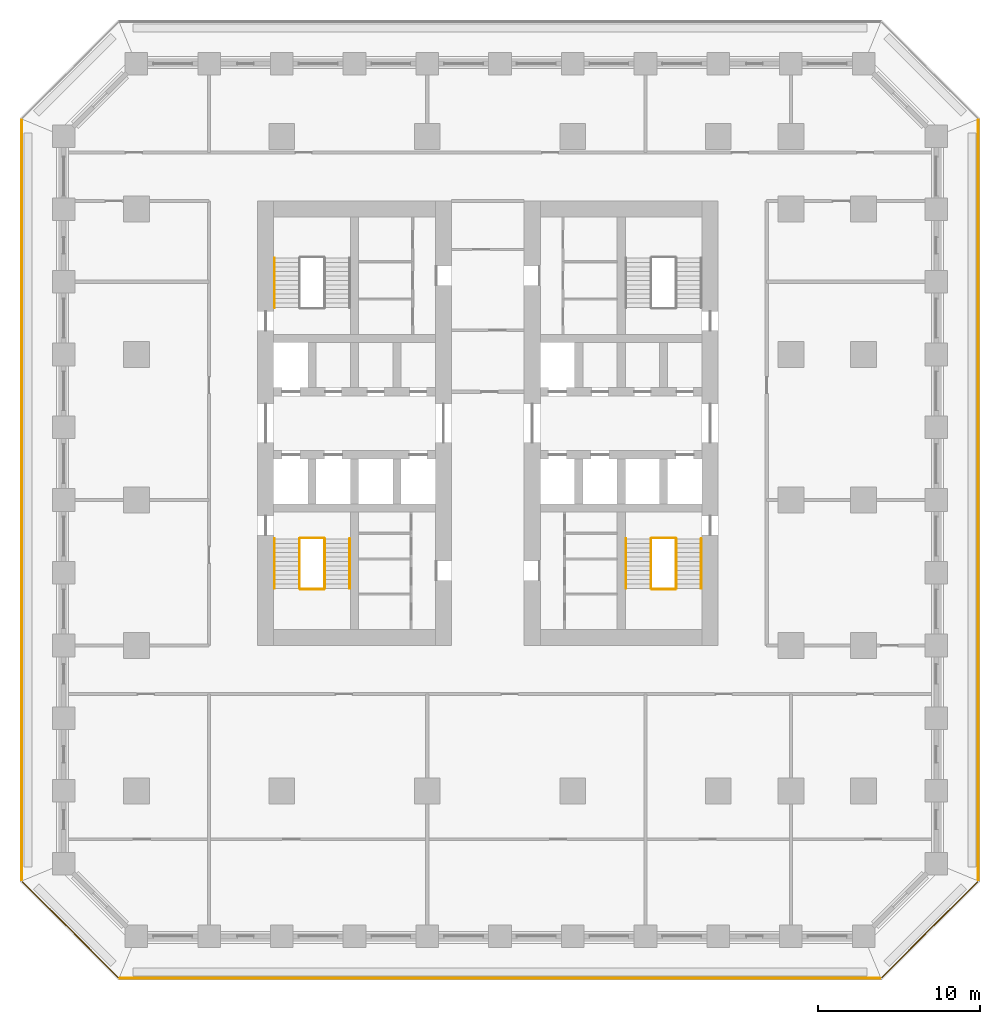
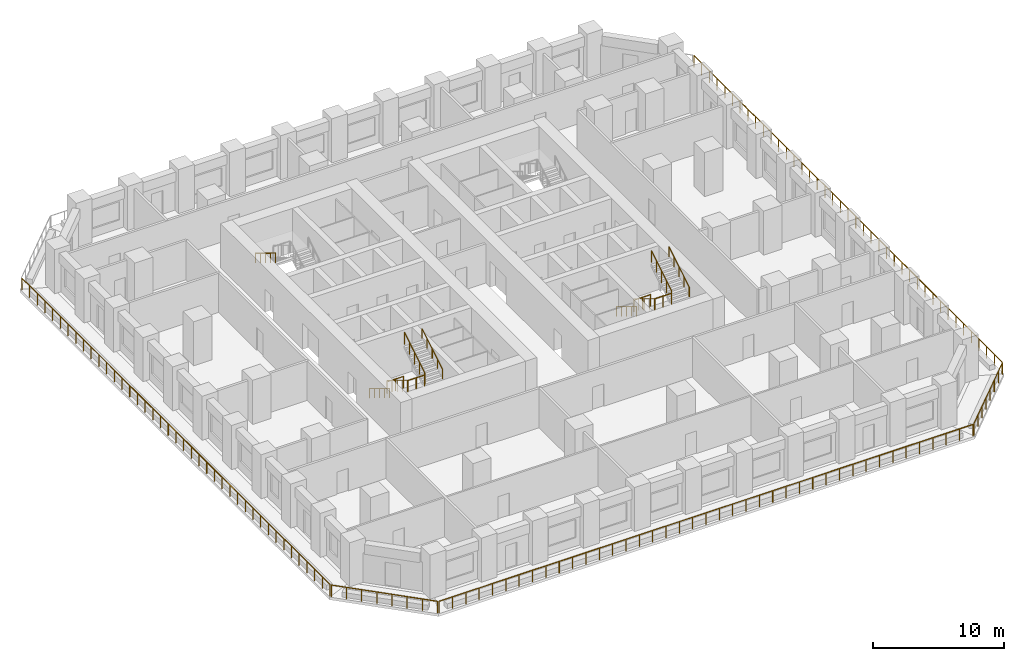
# One storey, part 9 of 11: 18 railings.
"""IFC4 building model written with IfcOpenShell, lengths in metres."""

from ifc_helpers import new_model, si_unit, direction, frame, origin, origin_2d, place, context, subcontext, project, spatial, circle, extrude, material, type_object, element, save


model = new_model("IFC4")

# Units and contexts
model_context = context("Model", 3, precision=1e-05, world=origin(), true_north=direction((0.0, 1.0)))
body_context = subcontext(model_context, "Body", "Model", "MODEL_VIEW")
ifc_project = project(units=[si_unit("LENGTHUNIT", "METRE"), si_unit("AREAUNIT", "SQUARE_METRE"), si_unit("VOLUMEUNIT", "CUBIC_METRE"), si_unit("PLANEANGLEUNIT", "RADIAN"), si_unit("MASSUNIT", "GRAM", prefix="KILO")], contexts=[model_context])

# Site, building, storey
site_placement = place(None, origin())
site = spatial("IfcSite", under=ifc_project, at=site_placement, CompositionType="ELEMENT")
building_placement = place(site_placement, origin())
building = spatial("IfcBuilding", under=site, at=building_placement, Name="Corbel Stack Research Tower", CompositionType="ELEMENT")
storey_placement = place(building_placement, frame((0.0, 0.0, 46.0)))
storey = spatial("IfcBuildingStorey", under=building, at=storey_placement, Name="L10", CompositionType="ELEMENT", Elevation=46.0)

# Railings
ifc_material_1 = material(Name="Steel S355", Category="steel")
railing_type_1 = type_object("IfcRailingType", Name="Stair guard 1100", PredefinedType="GUARDRAIL", material=ifc_material_1)
railing_1_placement = place(storey_placement, frame((-7.89990234375, -2.39990234375, 0.1708984375)))
element("IfcRailing", 1, at=railing_1_placement, inside=storey, type_object=railing_type_1, Name="L10 ST-W1 stair guard 1", PredefinedType="GUARDRAIL", context=body_context, shape_type="SweptSolid", body=[
    extrude(circle(Radius=0.02392578125, at=origin_2d()), frame((0.0, 0.0, 1.076171875), z_axis=(0.0, -0.853666305674, 0.52082035152), x_axis=(1.0, 0.0, 0.0)), (0.0, 0.0, 1.0), 3.608154296875),
    extrude(circle(Radius=0.02099609375, at=origin_2d()), origin(), (0.0, 0.0, 1.0), 1.052001953125),
    extrude(circle(Radius=0.02099609375, at=origin_2d()), frame((0.0, -0.77001953125, 0.4697265625)), (0.0, 0.0, 1.0), 1.052001953125),
    extrude(circle(Radius=0.02099609375, at=origin_2d()), frame((0.0, -1.5400390625, 0.939453125)), (0.0, 0.0, 1.0), 1.052001953125),
    extrude(circle(Radius=0.02099609375, at=origin_2d()), frame((0.0, -2.31005859375, 1.409423828125)), (0.0, 0.0, 1.0), 1.052001953125),
    extrude(circle(Radius=0.02099609375, at=origin_2d()), frame((0.0, -3.080078125, 1.879150390625)), (0.0, 0.0, 1.0), 1.052001953125),
])
railing_2_placement = place(storey_placement, frame((-7.85009765625, -5.530029296875, 2.050048828125)))
element("IfcRailing", 2, at=railing_2_placement, inside=storey, type_object=railing_type_1, Name="L10 ST-W1 stair guard 2", PredefinedType="GUARDRAIL", context=body_context, shape_type="SweptSolid", body=[
    extrude(circle(Radius=0.02392578125, at=origin_2d()), frame((0.0, 0.0, 1.076171875), z_axis=(1.0, 0.0, 0.0), x_axis=(0.0, 1.0, 0.0)), (0.0, 0.0, 1.0), 1.4501953125),
    extrude(circle(Radius=0.02099609375, at=origin_2d()), origin(), (0.0, 0.0, 1.0), 1.052001953125),
    extrude(circle(Radius=0.02099609375, at=origin_2d()), frame((0.72509765625, 0.0, 0.0)), (0.0, 0.0, 1.0), 1.052001953125),
    extrude(circle(Radius=0.02099609375, at=origin_2d()), frame((1.4501953125, 0.0, 0.0)), (0.0, 0.0, 1.0), 1.052001953125),
])
railing_3_placement = place(storey_placement, frame((-6.35009765625, -5.47998046875, 2.220947265625)))
element("IfcRailing", 3, at=railing_3_placement, inside=storey, type_object=railing_type_1, Name="L10 ST-W1 stair guard 3", PredefinedType="GUARDRAIL", context=body_context, shape_type="SweptSolid", body=[
    extrude(circle(Radius=0.02392578125, at=origin_2d()), frame((0.0, 0.0, 1.076171875), z_axis=(0.0, 0.853666305674, 0.52082035152), x_axis=(-1.0, 0.0, 0.0)), (0.0, 0.0, 1.0), 3.608154296875),
    extrude(circle(Radius=0.02099609375, at=origin_2d()), origin(), (0.0, 0.0, 1.0), 1.052001953125),
    extrude(circle(Radius=0.02099609375, at=origin_2d()), frame((0.0, 0.77001953125, 0.4697265625)), (0.0, 0.0, 1.0), 1.052001953125),
    extrude(circle(Radius=0.02099609375, at=origin_2d()), frame((0.0, 1.5400390625, 0.939453125)), (0.0, 0.0, 1.0), 1.052001953125),
    extrude(circle(Radius=0.02099609375, at=origin_2d()), frame((0.0, 2.31005859375, 1.409423828125)), (0.0, 0.0, 1.0), 1.052001953125),
    extrude(circle(Radius=0.02099609375, at=origin_2d()), frame((0.0, 3.080078125, 1.879150390625)), (0.0, 0.0, 1.0), 1.052001953125),
])
railing_4_placement = place(storey_placement, frame((-7.85009765625, -2.35009765625, 0.0)))
element("IfcRailing", 4, at=railing_4_placement, inside=storey, type_object=railing_type_1, Name="L10 ST-W1 stair guard 4", PredefinedType="GUARDRAIL", context=body_context, shape_type="SweptSolid", body=[
    extrude(circle(Radius=0.02392578125, at=origin_2d()), frame((0.0, 0.0, 1.076171875), z_axis=(1.0, 0.0, 0.0), x_axis=(0.0, 1.0, 0.0)), (0.0, 0.0, 1.0), 1.4501953125),
    extrude(circle(Radius=0.02099609375, at=origin_2d()), origin(), (0.0, 0.0, 1.0), 1.052001953125),
    extrude(circle(Radius=0.02099609375, at=origin_2d()), frame((0.72509765625, 0.0, 0.0)), (0.0, 0.0, 1.0), 1.052001953125),
    extrude(circle(Radius=0.02099609375, at=origin_2d()), frame((1.4501953125, 0.0, 0.0)), (0.0, 0.0, 1.0), 1.052001953125),
])
railing_5_placement = place(storey_placement, frame((13.85009765625, -2.39990234375, 0.1708984375)))
element("IfcRailing", 5, at=railing_5_placement, inside=storey, type_object=railing_type_1, Name="L10 ST-E1 stair guard 1", PredefinedType="GUARDRAIL", context=body_context, shape_type="SweptSolid", body=[
    extrude(circle(Radius=0.02392578125, at=origin_2d()), frame((0.0, 0.0, 1.076171875), z_axis=(0.0, -0.853666305674, 0.52082035152), x_axis=(1.0, 0.0, 0.0)), (0.0, 0.0, 1.0), 3.608154296875),
    extrude(circle(Radius=0.02099609375, at=origin_2d()), origin(), (0.0, 0.0, 1.0), 1.052001953125),
    extrude(circle(Radius=0.02099609375, at=origin_2d()), frame((0.0, -0.77001953125, 0.4697265625)), (0.0, 0.0, 1.0), 1.052001953125),
    extrude(circle(Radius=0.02099609375, at=origin_2d()), frame((0.0, -1.5400390625, 0.939453125)), (0.0, 0.0, 1.0), 1.052001953125),
    extrude(circle(Radius=0.02099609375, at=origin_2d()), frame((0.0, -2.31005859375, 1.409423828125)), (0.0, 0.0, 1.0), 1.052001953125),
    extrude(circle(Radius=0.02099609375, at=origin_2d()), frame((0.0, -3.080078125, 1.879150390625)), (0.0, 0.0, 1.0), 1.052001953125),
])
railing_6_placement = place(storey_placement, frame((13.89990234375, -5.530029296875, 2.050048828125)))
element("IfcRailing", 6, at=railing_6_placement, inside=storey, type_object=railing_type_1, Name="L10 ST-E1 stair guard 2", PredefinedType="GUARDRAIL", context=body_context, shape_type="SweptSolid", body=[
    extrude(circle(Radius=0.02392578125, at=origin_2d()), frame((0.0, 0.0, 1.076171875), z_axis=(1.0, 0.0, 0.0), x_axis=(0.0, 1.0, 0.0)), (0.0, 0.0, 1.0), 1.4501953125),
    extrude(circle(Radius=0.02099609375, at=origin_2d()), origin(), (0.0, 0.0, 1.0), 1.052001953125),
    extrude(circle(Radius=0.02099609375, at=origin_2d()), frame((0.72509765625, 0.0, 0.0)), (0.0, 0.0, 1.0), 1.052001953125),
    extrude(circle(Radius=0.02099609375, at=origin_2d()), frame((1.4501953125, 0.0, 0.0)), (0.0, 0.0, 1.0), 1.052001953125),
])
railing_7_placement = place(storey_placement, frame((15.39990234375, -5.47998046875, 2.220947265625)))
element("IfcRailing", 7, at=railing_7_placement, inside=storey, type_object=railing_type_1, Name="L10 ST-E1 stair guard 3", PredefinedType="GUARDRAIL", context=body_context, shape_type="SweptSolid", body=[
    extrude(circle(Radius=0.02392578125, at=origin_2d()), frame((0.0, 0.0, 1.076171875), z_axis=(0.0, 0.853666305674, 0.52082035152), x_axis=(-1.0, 0.0, 0.0)), (0.0, 0.0, 1.0), 3.608154296875),
    extrude(circle(Radius=0.02099609375, at=origin_2d()), origin(), (0.0, 0.0, 1.0), 1.052001953125),
    extrude(circle(Radius=0.02099609375, at=origin_2d()), frame((0.0, 0.77001953125, 0.4697265625)), (0.0, 0.0, 1.0), 1.052001953125),
    extrude(circle(Radius=0.02099609375, at=origin_2d()), frame((0.0, 1.5400390625, 0.939453125)), (0.0, 0.0, 1.0), 1.052001953125),
    extrude(circle(Radius=0.02099609375, at=origin_2d()), frame((0.0, 2.31005859375, 1.409423828125)), (0.0, 0.0, 1.0), 1.052001953125),
    extrude(circle(Radius=0.02099609375, at=origin_2d()), frame((0.0, 3.080078125, 1.879150390625)), (0.0, 0.0, 1.0), 1.052001953125),
])
railing_8_placement = place(storey_placement, frame((13.89990234375, -2.35009765625, 0.0)))
element("IfcRailing", 8, at=railing_8_placement, inside=storey, type_object=railing_type_1, Name="L10 ST-E1 stair guard 4", PredefinedType="GUARDRAIL", context=body_context, shape_type="SweptSolid", body=[
    extrude(circle(Radius=0.02392578125, at=origin_2d()), frame((0.0, 0.0, 1.076171875), z_axis=(1.0, 0.0, 0.0), x_axis=(0.0, 1.0, 0.0)), (0.0, 0.0, 1.0), 1.4501953125),
    extrude(circle(Radius=0.02099609375, at=origin_2d()), origin(), (0.0, 0.0, 1.0), 1.052001953125),
    extrude(circle(Radius=0.02099609375, at=origin_2d()), frame((0.72509765625, 0.0, 0.0)), (0.0, 0.0, 1.0), 1.052001953125),
    extrude(circle(Radius=0.02099609375, at=origin_2d()), frame((1.4501953125, 0.0, 0.0)), (0.0, 0.0, 1.0), 1.052001953125),
])
ifc_material_2 = material(Name="Steel S355", Category="steel")
railing_type_2 = type_object("IfcRailingType", Name="Stair handrail 900", PredefinedType="HANDRAIL", material=ifc_material_2)
railing_9_placement = place(storey_placement, frame((-9.449951171875, -2.39990234375, 0.1708984375)))
element("IfcRailing", 9, at=railing_9_placement, inside=storey, type_object=railing_type_2, Name="L10 ST-W1 stair handrail 1", PredefinedType="HANDRAIL", context=body_context, shape_type="SweptSolid", body=[
    extrude(circle(Radius=0.02392578125, at=origin_2d()), frame((0.0, 0.0, 0.8759765625), z_axis=(0.0, -0.853666305674, 0.52082035152), x_axis=(1.0, 0.0, 0.0)), (0.0, 0.0, 1.0), 3.608154296875),
    extrude(circle(Radius=0.02099609375, at=origin_2d()), origin(), (0.0, 0.0, 1.0), 0.851806640625),
    extrude(circle(Radius=0.02099609375, at=origin_2d()), frame((0.0, -0.77001953125, 0.4697265625)), (0.0, 0.0, 1.0), 0.851806640625),
    extrude(circle(Radius=0.02099609375, at=origin_2d()), frame((0.0, -1.5400390625, 0.939453125)), (0.0, 0.0, 1.0), 0.851806640625),
    extrude(circle(Radius=0.02099609375, at=origin_2d()), frame((0.0, -2.31005859375, 1.409423828125)), (0.0, 0.0, 1.0), 0.851806640625),
    extrude(circle(Radius=0.02099609375, at=origin_2d()), frame((0.0, -3.080078125, 1.879150390625)), (0.0, 0.0, 1.0), 0.851806640625),
])
railing_10_placement = place(storey_placement, frame((-4.800048828125, -5.47998046875, 2.220947265625)))
element("IfcRailing", 10, at=railing_10_placement, inside=storey, type_object=railing_type_2, Name="L10 ST-W1 stair handrail 2", PredefinedType="HANDRAIL", context=body_context, shape_type="SweptSolid", body=[
    extrude(circle(Radius=0.02392578125, at=origin_2d()), frame((0.0, 0.0, 0.8759765625), z_axis=(0.0, 0.853666305674, 0.52082035152), x_axis=(-1.0, 0.0, 0.0)), (0.0, 0.0, 1.0), 3.608154296875),
    extrude(circle(Radius=0.02099609375, at=origin_2d()), origin(), (0.0, 0.0, 1.0), 0.851806640625),
    extrude(circle(Radius=0.02099609375, at=origin_2d()), frame((0.0, 0.77001953125, 0.4697265625)), (0.0, 0.0, 1.0), 0.851806640625),
    extrude(circle(Radius=0.02099609375, at=origin_2d()), frame((0.0, 1.5400390625, 0.939453125)), (0.0, 0.0, 1.0), 0.851806640625),
    extrude(circle(Radius=0.02099609375, at=origin_2d()), frame((0.0, 2.31005859375, 1.409423828125)), (0.0, 0.0, 1.0), 0.851806640625),
    extrude(circle(Radius=0.02099609375, at=origin_2d()), frame((0.0, 3.080078125, 1.879150390625)), (0.0, 0.0, 1.0), 0.851806640625),
])
for number, where, name in (
    (11, (-9.449951171875, 14.97998046875, 2.220947265625), "L10 ST-W2 stair handrail 2"),
    (12, (12.300048828125, -2.39990234375, 0.1708984375), "L10 ST-E1 stair handrail 1"),
):
    element("IfcRailing", number, at=place(storey_placement, frame(where)), inside=storey, type_object=railing_type_2, Name=name, PredefinedType="HANDRAIL", context=body_context, shape_type="SweptSolid", body=[
        extrude(circle(Radius=0.02392578125, at=origin_2d()), frame((0.0, 0.0, 0.8759765625), z_axis=(0.0, -0.853666305674, 0.52082035152), x_axis=(1.0, 0.0, 0.0)), (0.0, 0.0, 1.0), 3.608154296875),
        extrude(circle(Radius=0.02099609375, at=origin_2d()), origin(), (0.0, 0.0, 1.0), 0.851806640625),
        extrude(circle(Radius=0.02099609375, at=origin_2d()), frame((0.0, -0.77001953125, 0.4697265625)), (0.0, 0.0, 1.0), 0.851806640625),
        extrude(circle(Radius=0.02099609375, at=origin_2d()), frame((0.0, -1.5400390625, 0.939453125)), (0.0, 0.0, 1.0), 0.851806640625),
        extrude(circle(Radius=0.02099609375, at=origin_2d()), frame((0.0, -2.31005859375, 1.409423828125)), (0.0, 0.0, 1.0), 0.851806640625),
        extrude(circle(Radius=0.02099609375, at=origin_2d()), frame((0.0, -3.080078125, 1.879150390625)), (0.0, 0.0, 1.0), 0.851806640625),
    ])
railing_11_placement = place(storey_placement, frame((16.949951171875, -5.47998046875, 2.220947265625)))
element("IfcRailing", 13, at=railing_11_placement, inside=storey, type_object=railing_type_2, Name="L10 ST-E1 stair handrail 2", PredefinedType="HANDRAIL", context=body_context, shape_type="SweptSolid", body=[
    extrude(circle(Radius=0.02392578125, at=origin_2d()), frame((0.0, 0.0, 0.8759765625), z_axis=(0.0, 0.853666305674, 0.52082035152), x_axis=(-1.0, 0.0, 0.0)), (0.0, 0.0, 1.0), 3.608154296875),
    extrude(circle(Radius=0.02099609375, at=origin_2d()), origin(), (0.0, 0.0, 1.0), 0.851806640625),
    extrude(circle(Radius=0.02099609375, at=origin_2d()), frame((0.0, 0.77001953125, 0.4697265625)), (0.0, 0.0, 1.0), 0.851806640625),
    extrude(circle(Radius=0.02099609375, at=origin_2d()), frame((0.0, 1.5400390625, 0.939453125)), (0.0, 0.0, 1.0), 0.851806640625),
    extrude(circle(Radius=0.02099609375, at=origin_2d()), frame((0.0, 2.31005859375, 1.409423828125)), (0.0, 0.0, 1.0), 0.851806640625),
    extrude(circle(Radius=0.02099609375, at=origin_2d()), frame((0.0, 3.080078125, 1.879150390625)), (0.0, 0.0, 1.0), 0.851806640625),
])
ifc_material_3 = material(Name="Powder-coated steel guard", Category="steel")
railing_type_3 = type_object("IfcRailingType", Name="Steel and glass guard 1100", PredefinedType="GUARDRAIL", material=ifc_material_3)
railing_12_placement = place(storey_placement, frame((-19.00537109375, -29.60009765625, 0.0)))
element("IfcRailing", 14, at=railing_12_placement, inside=storey, type_object=railing_type_3, Name="Loggia guard L10 S", PredefinedType="GUARDRAIL", context=body_context, shape_type="SweptSolid", body=[
    extrude(circle(Radius=0.02392578125, at=origin_2d()), frame((0.0, 0.0, 1.076171875), z_axis=(1.0, 0.0, 0.0), x_axis=(0.0, 1.0, 0.0)), (0.0, 0.0, 1.0), 47.0107421875),
    extrude(circle(Radius=0.02099609375, at=origin_2d()), origin(), (0.0, 0.0, 1.0), 1.052001953125),
    extrude(circle(Radius=0.02099609375, at=origin_2d()), frame((1.17529296875, 0.0, 0.0)), (0.0, 0.0, 1.0), 1.052001953125),
    extrude(circle(Radius=0.02099609375, at=origin_2d()), frame((2.3505859375, 0.0, 0.0)), (0.0, 0.0, 1.0), 1.052001953125),
    extrude(circle(Radius=0.02099609375, at=origin_2d()), frame((3.52587890625, 0.0, 0.0)), (0.0, 0.0, 1.0), 1.052001953125),
    extrude(circle(Radius=0.02099609375, at=origin_2d()), frame((4.701171875, 0.0, 0.0)), (0.0, 0.0, 1.0), 1.052001953125),
    extrude(circle(Radius=0.02099609375, at=origin_2d()), frame((5.87646484375, 0.0, 0.0)), (0.0, 0.0, 1.0), 1.052001953125),
    extrude(circle(Radius=0.02099609375, at=origin_2d()), frame((7.051513671875, 0.0, 0.0)), (0.0, 0.0, 1.0), 1.052001953125),
    extrude(circle(Radius=0.02099609375, at=origin_2d()), frame((8.226806640625, 0.0, 0.0)), (0.0, 0.0, 1.0), 1.052001953125),
    extrude(circle(Radius=0.02099609375, at=origin_2d()), frame((9.402099609375, 0.0, 0.0)), (0.0, 0.0, 1.0), 1.052001953125),
    extrude(circle(Radius=0.02099609375, at=origin_2d()), frame((10.577392578125, 0.0, 0.0)), (0.0, 0.0, 1.0), 1.052001953125),
    extrude(circle(Radius=0.02099609375, at=origin_2d()), frame((11.752685546875, 0.0, 0.0)), (0.0, 0.0, 1.0), 1.052001953125),
    extrude(circle(Radius=0.02099609375, at=origin_2d()), frame((12.927978515625, 0.0, 0.0)), (0.0, 0.0, 1.0), 1.052001953125),
    extrude(circle(Radius=0.02099609375, at=origin_2d()), frame((14.103271484375, 0.0, 0.0)), (0.0, 0.0, 1.0), 1.052001953125),
    extrude(circle(Radius=0.02099609375, at=origin_2d()), frame((15.278564453125, 0.0, 0.0)), (0.0, 0.0, 1.0), 1.052001953125),
    extrude(circle(Radius=0.02099609375, at=origin_2d()), frame((16.453857421875, 0.0, 0.0)), (0.0, 0.0, 1.0), 1.052001953125),
    extrude(circle(Radius=0.02099609375, at=origin_2d()), frame((17.62890625, 0.0, 0.0)), (0.0, 0.0, 1.0), 1.052001953125),
    extrude(circle(Radius=0.02099609375, at=origin_2d()), frame((18.80419921875, 0.0, 0.0)), (0.0, 0.0, 1.0), 1.052001953125),
    extrude(circle(Radius=0.02099609375, at=origin_2d()), frame((19.9794921875, 0.0, 0.0)), (0.0, 0.0, 1.0), 1.052001953125),
    extrude(circle(Radius=0.02099609375, at=origin_2d()), frame((21.15478515625, 0.0, 0.0)), (0.0, 0.0, 1.0), 1.052001953125),
    extrude(circle(Radius=0.02099609375, at=origin_2d()), frame((22.330078125, 0.0, 0.0)), (0.0, 0.0, 1.0), 1.052001953125),
    extrude(circle(Radius=0.02099609375, at=origin_2d()), frame((23.50537109375, 0.0, 0.0)), (0.0, 0.0, 1.0), 1.052001953125),
    extrude(circle(Radius=0.02099609375, at=origin_2d()), frame((24.6806640625, 0.0, 0.0)), (0.0, 0.0, 1.0), 1.052001953125),
    extrude(circle(Radius=0.02099609375, at=origin_2d()), frame((25.85595703125, 0.0, 0.0)), (0.0, 0.0, 1.0), 1.052001953125),
    extrude(circle(Radius=0.02099609375, at=origin_2d()), frame((27.03125, 0.0, 0.0)), (0.0, 0.0, 1.0), 1.052001953125),
    extrude(circle(Radius=0.02099609375, at=origin_2d()), frame((28.20654296875, 0.0, 0.0)), (0.0, 0.0, 1.0), 1.052001953125),
    extrude(circle(Radius=0.02099609375, at=origin_2d()), frame((29.3818359375, 0.0, 0.0)), (0.0, 0.0, 1.0), 1.052001953125),
    extrude(circle(Radius=0.02099609375, at=origin_2d()), frame((30.556884765625, 0.0, 0.0)), (0.0, 0.0, 1.0), 1.052001953125),
    extrude(circle(Radius=0.02099609375, at=origin_2d()), frame((31.732177734375, 0.0, 0.0)), (0.0, 0.0, 1.0), 1.052001953125),
    extrude(circle(Radius=0.02099609375, at=origin_2d()), frame((32.907470703125, 0.0, 0.0)), (0.0, 0.0, 1.0), 1.052001953125),
    extrude(circle(Radius=0.02099609375, at=origin_2d()), frame((34.082763671875, 0.0, 0.0)), (0.0, 0.0, 1.0), 1.052001953125),
    extrude(circle(Radius=0.02099609375, at=origin_2d()), frame((35.258056640625, 0.0, 0.0)), (0.0, 0.0, 1.0), 1.052001953125),
    extrude(circle(Radius=0.02099609375, at=origin_2d()), frame((36.433349609375, 0.0, 0.0)), (0.0, 0.0, 1.0), 1.052001953125),
    extrude(circle(Radius=0.02099609375, at=origin_2d()), frame((37.608642578125, 0.0, 0.0)), (0.0, 0.0, 1.0), 1.052001953125),
    extrude(circle(Radius=0.02099609375, at=origin_2d()), frame((38.783935546875, 0.0, 0.0)), (0.0, 0.0, 1.0), 1.052001953125),
    extrude(circle(Radius=0.02099609375, at=origin_2d()), frame((39.959228515625, 0.0, 0.0)), (0.0, 0.0, 1.0), 1.052001953125),
    extrude(circle(Radius=0.02099609375, at=origin_2d()), frame((41.13427734375, 0.0, 0.0)), (0.0, 0.0, 1.0), 1.052001953125),
    extrude(circle(Radius=0.02099609375, at=origin_2d()), frame((42.3095703125, 0.0, 0.0)), (0.0, 0.0, 1.0), 1.052001953125),
    extrude(circle(Radius=0.02099609375, at=origin_2d()), frame((43.48486328125, 0.0, 0.0)), (0.0, 0.0, 1.0), 1.052001953125),
    extrude(circle(Radius=0.02099609375, at=origin_2d()), frame((44.66015625, 0.0, 0.0)), (0.0, 0.0, 1.0), 1.052001953125),
    extrude(circle(Radius=0.02099609375, at=origin_2d()), frame((45.83544921875, 0.0, 0.0)), (0.0, 0.0, 1.0), 1.052001953125),
    extrude(circle(Radius=0.02099609375, at=origin_2d()), frame((47.0107421875, 0.0, 0.0)), (0.0, 0.0, 1.0), 1.052001953125),
])
railing_13_placement = place(storey_placement, frame((28.127685546875, -29.54931640625, 0.0)))
element("IfcRailing", 15, at=railing_13_placement, inside=storey, type_object=railing_type_3, Name="Loggia guard L10 SE", PredefinedType="GUARDRAIL", context=body_context, shape_type="SweptSolid", body=[
    extrude(circle(Radius=0.02392578125, at=origin_2d()), frame((0.0, 0.0, 1.076171875), z_axis=(0.707106781187, 0.707106781187, 0.0), x_axis=(-0.707106781187, 0.707106781187, 0.0)), (0.0, 0.0, 1.0), 8.37451171875),
    extrude(circle(Radius=0.02099609375, at=origin_2d()), origin(), (0.0, 0.0, 1.0), 1.052001953125),
    extrude(circle(Radius=0.02099609375, at=origin_2d()), frame((0.845947265625, 0.845947265625, 0.0)), (0.0, 0.0, 1.0), 1.052001953125),
    extrude(circle(Radius=0.02099609375, at=origin_2d()), frame((1.69189453125, 1.69189453125, 0.0)), (0.0, 0.0, 1.0), 1.052001953125),
    extrude(circle(Radius=0.02099609375, at=origin_2d()), frame((2.537841796875, 2.537841796875, 0.0)), (0.0, 0.0, 1.0), 1.052001953125),
    extrude(circle(Radius=0.02099609375, at=origin_2d()), frame((3.3837890625, 3.3837890625, 0.0)), (0.0, 0.0, 1.0), 1.052001953125),
    extrude(circle(Radius=0.02099609375, at=origin_2d()), frame((4.229736328125, 4.229736328125, 0.0)), (0.0, 0.0, 1.0), 1.052001953125),
    extrude(circle(Radius=0.02099609375, at=origin_2d()), frame((5.07568359375, 5.07568359375, 0.0)), (0.0, 0.0, 1.0), 1.052001953125),
    extrude(circle(Radius=0.02099609375, at=origin_2d()), frame((5.921630859375, 5.921630859375, 0.0)), (0.0, 0.0, 1.0), 1.052001953125),
])
railing_14_placement = place(storey_placement, frame((34.10009765625, -23.50537109375, 0.0)))
element("IfcRailing", 16, at=railing_14_placement, inside=storey, type_object=railing_type_3, Name="Loggia guard L10 E", PredefinedType="GUARDRAIL", context=body_context, shape_type="SweptSolid", body=[
    extrude(circle(Radius=0.02392578125, at=origin_2d()), frame((0.0, 0.0, 1.076171875), z_axis=(0.0, 1.0, 0.0), x_axis=(-1.0, 0.0, 0.0)), (0.0, 0.0, 1.0), 47.0107421875),
    extrude(circle(Radius=0.02099609375, at=origin_2d()), origin(), (0.0, 0.0, 1.0), 1.052001953125),
    extrude(circle(Radius=0.02099609375, at=origin_2d()), frame((0.0, 1.17529296875, 0.0)), (0.0, 0.0, 1.0), 1.052001953125),
    extrude(circle(Radius=0.02099609375, at=origin_2d()), frame((0.0, 2.3505859375, 0.0)), (0.0, 0.0, 1.0), 1.052001953125),
    extrude(circle(Radius=0.02099609375, at=origin_2d()), frame((0.0, 3.52587890625, 0.0)), (0.0, 0.0, 1.0), 1.052001953125),
    extrude(circle(Radius=0.02099609375, at=origin_2d()), frame((0.0, 4.701171875, 0.0)), (0.0, 0.0, 1.0), 1.052001953125),
    extrude(circle(Radius=0.02099609375, at=origin_2d()), frame((0.0, 5.87646484375, 0.0)), (0.0, 0.0, 1.0), 1.052001953125),
    extrude(circle(Radius=0.02099609375, at=origin_2d()), frame((0.0, 7.051513671875, 0.0)), (0.0, 0.0, 1.0), 1.052001953125),
    extrude(circle(Radius=0.02099609375, at=origin_2d()), frame((0.0, 8.226806640625, 0.0)), (0.0, 0.0, 1.0), 1.052001953125),
    extrude(circle(Radius=0.02099609375, at=origin_2d()), frame((0.0, 9.402099609375, 0.0)), (0.0, 0.0, 1.0), 1.052001953125),
    extrude(circle(Radius=0.02099609375, at=origin_2d()), frame((0.0, 10.577392578125, 0.0)), (0.0, 0.0, 1.0), 1.052001953125),
    extrude(circle(Radius=0.02099609375, at=origin_2d()), frame((0.0, 11.752685546875, 0.0)), (0.0, 0.0, 1.0), 1.052001953125),
    extrude(circle(Radius=0.02099609375, at=origin_2d()), frame((0.0, 12.927978515625, 0.0)), (0.0, 0.0, 1.0), 1.052001953125),
    extrude(circle(Radius=0.02099609375, at=origin_2d()), frame((0.0, 14.103271484375, 0.0)), (0.0, 0.0, 1.0), 1.052001953125),
    extrude(circle(Radius=0.02099609375, at=origin_2d()), frame((0.0, 15.278564453125, 0.0)), (0.0, 0.0, 1.0), 1.052001953125),
    extrude(circle(Radius=0.02099609375, at=origin_2d()), frame((0.0, 16.453857421875, 0.0)), (0.0, 0.0, 1.0), 1.052001953125),
    extrude(circle(Radius=0.02099609375, at=origin_2d()), frame((0.0, 17.62890625, 0.0)), (0.0, 0.0, 1.0), 1.052001953125),
    extrude(circle(Radius=0.02099609375, at=origin_2d()), frame((0.0, 18.80419921875, 0.0)), (0.0, 0.0, 1.0), 1.052001953125),
    extrude(circle(Radius=0.02099609375, at=origin_2d()), frame((0.0, 19.9794921875, 0.0)), (0.0, 0.0, 1.0), 1.052001953125),
    extrude(circle(Radius=0.02099609375, at=origin_2d()), frame((0.0, 21.15478515625, 0.0)), (0.0, 0.0, 1.0), 1.052001953125),
    extrude(circle(Radius=0.02099609375, at=origin_2d()), frame((0.0, 22.330078125, 0.0)), (0.0, 0.0, 1.0), 1.052001953125),
    extrude(circle(Radius=0.02099609375, at=origin_2d()), frame((0.0, 23.50537109375, 0.0)), (0.0, 0.0, 1.0), 1.052001953125),
    extrude(circle(Radius=0.02099609375, at=origin_2d()), frame((0.0, 24.6806640625, 0.0)), (0.0, 0.0, 1.0), 1.052001953125),
    extrude(circle(Radius=0.02099609375, at=origin_2d()), frame((0.0, 25.85595703125, 0.0)), (0.0, 0.0, 1.0), 1.052001953125),
    extrude(circle(Radius=0.02099609375, at=origin_2d()), frame((0.0, 27.03125, 0.0)), (0.0, 0.0, 1.0), 1.052001953125),
    extrude(circle(Radius=0.02099609375, at=origin_2d()), frame((0.0, 28.20654296875, 0.0)), (0.0, 0.0, 1.0), 1.052001953125),
    extrude(circle(Radius=0.02099609375, at=origin_2d()), frame((0.0, 29.3818359375, 0.0)), (0.0, 0.0, 1.0), 1.052001953125),
    extrude(circle(Radius=0.02099609375, at=origin_2d()), frame((0.0, 30.556884765625, 0.0)), (0.0, 0.0, 1.0), 1.052001953125),
    extrude(circle(Radius=0.02099609375, at=origin_2d()), frame((0.0, 31.732177734375, 0.0)), (0.0, 0.0, 1.0), 1.052001953125),
    extrude(circle(Radius=0.02099609375, at=origin_2d()), frame((0.0, 32.907470703125, 0.0)), (0.0, 0.0, 1.0), 1.052001953125),
    extrude(circle(Radius=0.02099609375, at=origin_2d()), frame((0.0, 34.082763671875, 0.0)), (0.0, 0.0, 1.0), 1.052001953125),
    extrude(circle(Radius=0.02099609375, at=origin_2d()), frame((0.0, 35.258056640625, 0.0)), (0.0, 0.0, 1.0), 1.052001953125),
    extrude(circle(Radius=0.02099609375, at=origin_2d()), frame((0.0, 36.433349609375, 0.0)), (0.0, 0.0, 1.0), 1.052001953125),
    extrude(circle(Radius=0.02099609375, at=origin_2d()), frame((0.0, 37.608642578125, 0.0)), (0.0, 0.0, 1.0), 1.052001953125),
    extrude(circle(Radius=0.02099609375, at=origin_2d()), frame((0.0, 38.783935546875, 0.0)), (0.0, 0.0, 1.0), 1.052001953125),
    extrude(circle(Radius=0.02099609375, at=origin_2d()), frame((0.0, 39.959228515625, 0.0)), (0.0, 0.0, 1.0), 1.052001953125),
    extrude(circle(Radius=0.02099609375, at=origin_2d()), frame((0.0, 41.13427734375, 0.0)), (0.0, 0.0, 1.0), 1.052001953125),
    extrude(circle(Radius=0.02099609375, at=origin_2d()), frame((0.0, 42.3095703125, 0.0)), (0.0, 0.0, 1.0), 1.052001953125),
    extrude(circle(Radius=0.02099609375, at=origin_2d()), frame((0.0, 43.48486328125, 0.0)), (0.0, 0.0, 1.0), 1.052001953125),
    extrude(circle(Radius=0.02099609375, at=origin_2d()), frame((0.0, 44.66015625, 0.0)), (0.0, 0.0, 1.0), 1.052001953125),
    extrude(circle(Radius=0.02099609375, at=origin_2d()), frame((0.0, 45.83544921875, 0.0)), (0.0, 0.0, 1.0), 1.052001953125),
    extrude(circle(Radius=0.02099609375, at=origin_2d()), frame((0.0, 47.0107421875, 0.0)), (0.0, 0.0, 1.0), 1.052001953125),
])
railing_15_placement = place(storey_placement, frame((-25.10009765625, 23.50537109375, 0.0)))
element("IfcRailing", 17, at=railing_15_placement, inside=storey, type_object=railing_type_3, Name="Loggia guard L10 W", PredefinedType="GUARDRAIL", context=body_context, shape_type="SweptSolid", body=[
    extrude(circle(Radius=0.02392578125, at=origin_2d()), frame((0.0, 0.0, 1.076171875), z_axis=(0.0, -1.0, 0.0), x_axis=(1.0, 0.0, 0.0)), (0.0, 0.0, 1.0), 47.0107421875),
    extrude(circle(Radius=0.02099609375, at=origin_2d()), origin(), (0.0, 0.0, 1.0), 1.052001953125),
    extrude(circle(Radius=0.02099609375, at=origin_2d()), frame((0.0, -1.17529296875, 0.0)), (0.0, 0.0, 1.0), 1.052001953125),
    extrude(circle(Radius=0.02099609375, at=origin_2d()), frame((0.0, -2.3505859375, 0.0)), (0.0, 0.0, 1.0), 1.052001953125),
    extrude(circle(Radius=0.02099609375, at=origin_2d()), frame((0.0, -3.52587890625, 0.0)), (0.0, 0.0, 1.0), 1.052001953125),
    extrude(circle(Radius=0.02099609375, at=origin_2d()), frame((0.0, -4.701171875, 0.0)), (0.0, 0.0, 1.0), 1.052001953125),
    extrude(circle(Radius=0.02099609375, at=origin_2d()), frame((0.0, -5.87646484375, 0.0)), (0.0, 0.0, 1.0), 1.052001953125),
    extrude(circle(Radius=0.02099609375, at=origin_2d()), frame((0.0, -7.051513671875, 0.0)), (0.0, 0.0, 1.0), 1.052001953125),
    extrude(circle(Radius=0.02099609375, at=origin_2d()), frame((0.0, -8.226806640625, 0.0)), (0.0, 0.0, 1.0), 1.052001953125),
    extrude(circle(Radius=0.02099609375, at=origin_2d()), frame((0.0, -9.402099609375, 0.0)), (0.0, 0.0, 1.0), 1.052001953125),
    extrude(circle(Radius=0.02099609375, at=origin_2d()), frame((0.0, -10.577392578125, 0.0)), (0.0, 0.0, 1.0), 1.052001953125),
    extrude(circle(Radius=0.02099609375, at=origin_2d()), frame((0.0, -11.752685546875, 0.0)), (0.0, 0.0, 1.0), 1.052001953125),
    extrude(circle(Radius=0.02099609375, at=origin_2d()), frame((0.0, -12.927978515625, 0.0)), (0.0, 0.0, 1.0), 1.052001953125),
    extrude(circle(Radius=0.02099609375, at=origin_2d()), frame((0.0, -14.103271484375, 0.0)), (0.0, 0.0, 1.0), 1.052001953125),
    extrude(circle(Radius=0.02099609375, at=origin_2d()), frame((0.0, -15.278564453125, 0.0)), (0.0, 0.0, 1.0), 1.052001953125),
    extrude(circle(Radius=0.02099609375, at=origin_2d()), frame((0.0, -16.453857421875, 0.0)), (0.0, 0.0, 1.0), 1.052001953125),
    extrude(circle(Radius=0.02099609375, at=origin_2d()), frame((0.0, -17.62890625, 0.0)), (0.0, 0.0, 1.0), 1.052001953125),
    extrude(circle(Radius=0.02099609375, at=origin_2d()), frame((0.0, -18.80419921875, 0.0)), (0.0, 0.0, 1.0), 1.052001953125),
    extrude(circle(Radius=0.02099609375, at=origin_2d()), frame((0.0, -19.9794921875, 0.0)), (0.0, 0.0, 1.0), 1.052001953125),
    extrude(circle(Radius=0.02099609375, at=origin_2d()), frame((0.0, -21.15478515625, 0.0)), (0.0, 0.0, 1.0), 1.052001953125),
    extrude(circle(Radius=0.02099609375, at=origin_2d()), frame((0.0, -22.330078125, 0.0)), (0.0, 0.0, 1.0), 1.052001953125),
    extrude(circle(Radius=0.02099609375, at=origin_2d()), frame((0.0, -23.50537109375, 0.0)), (0.0, 0.0, 1.0), 1.052001953125),
    extrude(circle(Radius=0.02099609375, at=origin_2d()), frame((0.0, -24.6806640625, 0.0)), (0.0, 0.0, 1.0), 1.052001953125),
    extrude(circle(Radius=0.02099609375, at=origin_2d()), frame((0.0, -25.85595703125, 0.0)), (0.0, 0.0, 1.0), 1.052001953125),
    extrude(circle(Radius=0.02099609375, at=origin_2d()), frame((0.0, -27.03125, 0.0)), (0.0, 0.0, 1.0), 1.052001953125),
    extrude(circle(Radius=0.02099609375, at=origin_2d()), frame((0.0, -28.20654296875, 0.0)), (0.0, 0.0, 1.0), 1.052001953125),
    extrude(circle(Radius=0.02099609375, at=origin_2d()), frame((0.0, -29.3818359375, 0.0)), (0.0, 0.0, 1.0), 1.052001953125),
    extrude(circle(Radius=0.02099609375, at=origin_2d()), frame((0.0, -30.556884765625, 0.0)), (0.0, 0.0, 1.0), 1.052001953125),
    extrude(circle(Radius=0.02099609375, at=origin_2d()), frame((0.0, -31.732177734375, 0.0)), (0.0, 0.0, 1.0), 1.052001953125),
    extrude(circle(Radius=0.02099609375, at=origin_2d()), frame((0.0, -32.907470703125, 0.0)), (0.0, 0.0, 1.0), 1.052001953125),
    extrude(circle(Radius=0.02099609375, at=origin_2d()), frame((0.0, -34.082763671875, 0.0)), (0.0, 0.0, 1.0), 1.052001953125),
    extrude(circle(Radius=0.02099609375, at=origin_2d()), frame((0.0, -35.258056640625, 0.0)), (0.0, 0.0, 1.0), 1.052001953125),
    extrude(circle(Radius=0.02099609375, at=origin_2d()), frame((0.0, -36.433349609375, 0.0)), (0.0, 0.0, 1.0), 1.052001953125),
    extrude(circle(Radius=0.02099609375, at=origin_2d()), frame((0.0, -37.608642578125, 0.0)), (0.0, 0.0, 1.0), 1.052001953125),
    extrude(circle(Radius=0.02099609375, at=origin_2d()), frame((0.0, -38.783935546875, 0.0)), (0.0, 0.0, 1.0), 1.052001953125),
    extrude(circle(Radius=0.02099609375, at=origin_2d()), frame((0.0, -39.959228515625, 0.0)), (0.0, 0.0, 1.0), 1.052001953125),
    extrude(circle(Radius=0.02099609375, at=origin_2d()), frame((0.0, -41.13427734375, 0.0)), (0.0, 0.0, 1.0), 1.052001953125),
    extrude(circle(Radius=0.02099609375, at=origin_2d()), frame((0.0, -42.3095703125, 0.0)), (0.0, 0.0, 1.0), 1.052001953125),
    extrude(circle(Radius=0.02099609375, at=origin_2d()), frame((0.0, -43.48486328125, 0.0)), (0.0, 0.0, 1.0), 1.052001953125),
    extrude(circle(Radius=0.02099609375, at=origin_2d()), frame((0.0, -44.66015625, 0.0)), (0.0, 0.0, 1.0), 1.052001953125),
    extrude(circle(Radius=0.02099609375, at=origin_2d()), frame((0.0, -45.83544921875, 0.0)), (0.0, 0.0, 1.0), 1.052001953125),
    extrude(circle(Radius=0.02099609375, at=origin_2d()), frame((0.0, -47.0107421875, 0.0)), (0.0, 0.0, 1.0), 1.052001953125),
])
railing_16_placement = place(storey_placement, frame((-25.04931640625, -23.627685546875, 0.0)))
element("IfcRailing", 18, at=railing_16_placement, inside=storey, type_object=railing_type_3, Name="Loggia guard L10 SW", PredefinedType="GUARDRAIL", context=body_context, shape_type="SweptSolid", body=[
    extrude(circle(Radius=0.02392578125, at=origin_2d()), frame((0.0, 0.0, 1.076171875), z_axis=(0.707106781187, -0.707106781187, 0.0), x_axis=(0.707106781187, 0.707106781187, 0.0)), (0.0, 0.0, 1.0), 8.37451171875),
    extrude(circle(Radius=0.02099609375, at=origin_2d()), origin(), (0.0, 0.0, 1.0), 1.052001953125),
    extrude(circle(Radius=0.02099609375, at=origin_2d()), frame((0.845947265625, -0.845947265625, 0.0)), (0.0, 0.0, 1.0), 1.052001953125),
    extrude(circle(Radius=0.02099609375, at=origin_2d()), frame((1.69189453125, -1.69189453125, 0.0)), (0.0, 0.0, 1.0), 1.052001953125),
    extrude(circle(Radius=0.02099609375, at=origin_2d()), frame((2.537841796875, -2.537841796875, 0.0)), (0.0, 0.0, 1.0), 1.052001953125),
    extrude(circle(Radius=0.02099609375, at=origin_2d()), frame((3.3837890625, -3.3837890625, 0.0)), (0.0, 0.0, 1.0), 1.052001953125),
    extrude(circle(Radius=0.02099609375, at=origin_2d()), frame((4.229736328125, -4.229736328125, 0.0)), (0.0, 0.0, 1.0), 1.052001953125),
    extrude(circle(Radius=0.02099609375, at=origin_2d()), frame((5.07568359375, -5.07568359375, 0.0)), (0.0, 0.0, 1.0), 1.052001953125),
    extrude(circle(Radius=0.02099609375, at=origin_2d()), frame((5.921630859375, -5.921630859375, 0.0)), (0.0, 0.0, 1.0), 1.052001953125),
])

save(model, "model.ifc")
